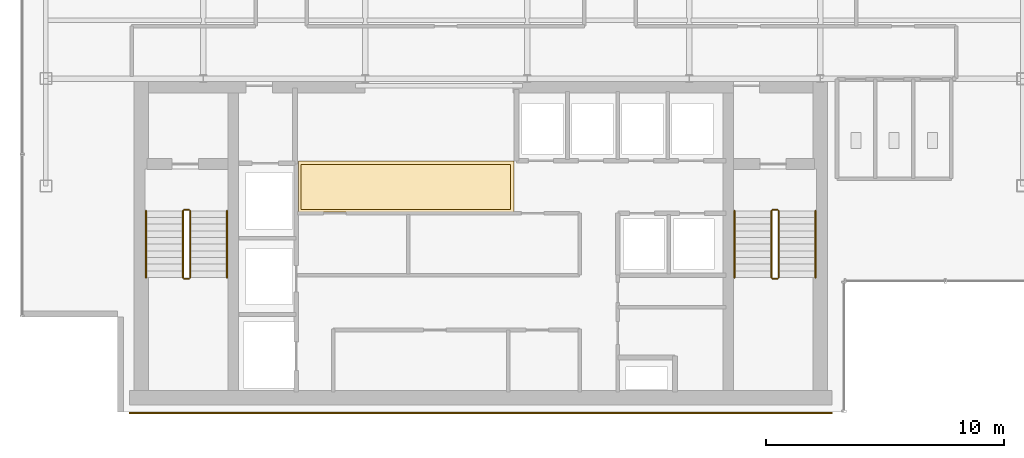
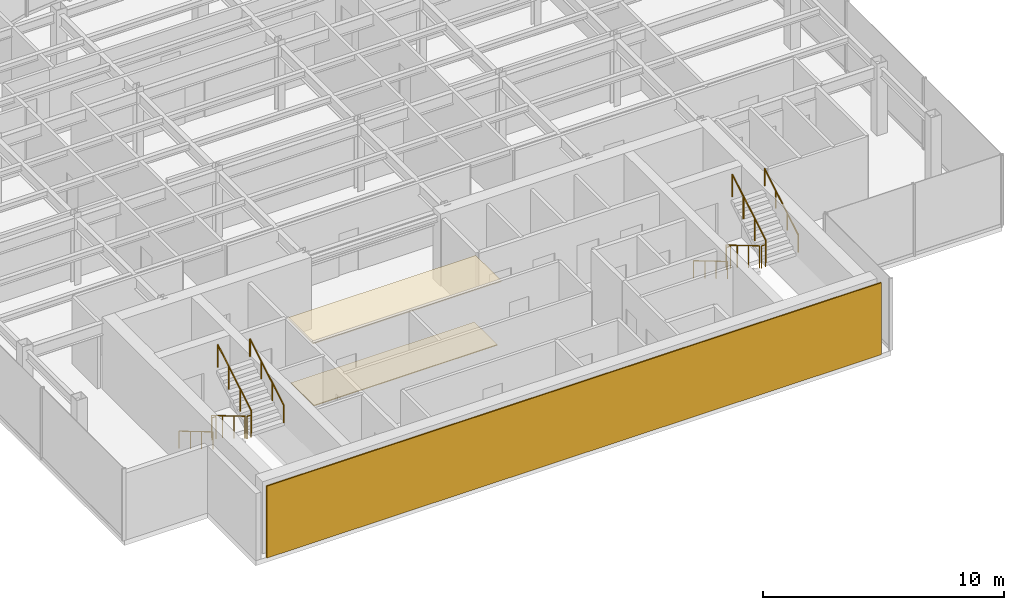
# One storey, part 20 of 22: 12 railings, 3 coverings.
"""IFC4 building model written with IfcOpenShell, lengths in metres."""

from ifc_helpers import new_model, si_unit, derived_unit, direction, frame, origin, origin_2d, place, context, subcontext, project, spatial, polyline, rectangle, circle, outline, extrude, source, transform, mapped, material, layer, layer_set, type_object, element, save


model = new_model("IFC4")

# Units and contexts
model_context = context("Model", 3, precision=1e-05, world=origin(), true_north=direction((0.0, 1.0)))
body_context = subcontext(model_context, "Body", "Model", "MODEL_VIEW")
ifc_project = project(units=[si_unit("LENGTHUNIT", "METRE"), si_unit("AREAUNIT", "SQUARE_METRE"), si_unit("VOLUMEUNIT", "CUBIC_METRE"), si_unit("PLANEANGLEUNIT", "RADIAN"), si_unit("MASSUNIT", "GRAM", prefix="KILO"), derived_unit("THERMALTRANSMITTANCEUNIT", [(si_unit("POWERUNIT", "WATT"), 1), (si_unit("LENGTHUNIT", "METRE"), -2), (si_unit("THERMODYNAMICTEMPERATUREUNIT", "KELVIN"), -1)])], contexts=[model_context])

# Site, building, storey
site_placement = place(None, origin())
site = spatial("IfcSite", under=ifc_project, at=site_placement, CompositionType="ELEMENT")
building_placement = place(site_placement, origin())
building = spatial("IfcBuilding", under=site, at=building_placement, Name="Skarnbrae Concourse Arena and Tower", CompositionType="ELEMENT")
storey_placement = place(building_placement, frame((0.0, 0.0, 277.050048828125)))
storey = spatial("IfcBuildingStorey", under=building, at=storey_placement, Name="L72", CompositionType="ELEMENT", Elevation=277.050048828125)

# Coverings
ifc_material_1 = material(Name="Mineral fibre acoustic ceiling tile", Category="other")
ifc_layer_1 = layer(ifc_material_1, 0.0400390625)
ifc_layer_set_1 = layer_set([ifc_layer_1], Name="Mineral fibre acoustic ceiling tile")
covering_type_1 = type_object("IfcCoveringType", Name="COV-CEIL-ACOUSTIC", PredefinedType="CEILING", material=ifc_layer_set_1)
covering_1_placement = place(storey_placement, frame((0.0, 0.0, 3.239990234375)))
element("IfcCovering", 1, at=covering_1_placement, inside=storey, type_object=covering_type_1, Name="L72 Lift lobby acoustic ceiling", PredefinedType="CEILING", context=body_context, shape_type="SweptSolid", body=[
    extrude(outline(polyline([(11.60009765625, 8.39990234375), (20.64990234375, 8.39990234375), (20.64990234375, 10.550048828125), (11.60009765625, 10.550048828125), (11.60009765625, 8.39990234375)])), origin(), (0.0, 0.0, 1.0), 0.0400390625),
])
ifc_material_2 = material(Name="Polished granite terrazzo flooring", Category="masonry")
ifc_layer_2 = layer(ifc_material_2, 0.0400390625)
ifc_layer_set_2 = layer_set([ifc_layer_2], Name="Polished granite terrazzo flooring")
covering_type_2 = type_object("IfcCoveringType", Name="COV-FLOOR-TERRAZZO", PredefinedType="FLOORING", material=ifc_layer_set_2)
covering_2_placement = place(storey_placement, origin())
element("IfcCovering", 2, at=covering_2_placement, inside=storey, type_object=covering_type_2, Name="L72 Lift lobby terrazzo flooring", PredefinedType="FLOORING", context=body_context, shape_type="SweptSolid", body=[
    extrude(outline(polyline([(11.699951171875, 8.5), (20.5, 8.5), (20.5, 10.39990234375), (11.699951171875, 10.39990234375), (11.699951171875, 8.5)])), origin(), (0.0, 0.0, 1.0), 0.0400390625),
])

# Railings
ifc_material_3 = material(Name="Steel CSA G40.21 350W", Category="steel")
railing_type_1 = type_object("IfcRailingType", Name="RAIL-HANDRAIL-900", PredefinedType="HANDRAIL", material=ifc_material_3)
railing_1_placement = place(storey_placement, frame((5.199951171875, 8.449951171875, 0.165771484375)))
element("IfcRailing", 3, at=railing_1_placement, inside=storey, type_object=railing_type_1, Name="L72 ST-1 stair handrail 1", PredefinedType="HANDRAIL", context=body_context, shape_type="SweptSolid", body=[
    extrude(circle(Radius=0.02392578125, at=origin_2d()), frame((0.0, 0.0, 0.8759765625), z_axis=(0.0, -0.860306154799, 0.50977771628), x_axis=(1.0, 0.0, 0.0)), (0.0, 0.0, 1.0), 3.254638671875),
    extrude(circle(Radius=0.02099609375, at=origin_2d()), origin(), (0.0, 0.0, 1.0), 0.851806640625),
    extrude(circle(Radius=0.02099609375, at=origin_2d()), frame((0.0, -0.933349609375, 0.552978515625)), (0.0, 0.0, 1.0), 0.851806640625),
    extrude(circle(Radius=0.02099609375, at=origin_2d()), frame((0.0, -1.86669921875, 1.106201171875)), (0.0, 0.0, 1.0), 0.851806640625),
    extrude(circle(Radius=0.02099609375, at=origin_2d()), frame((0.0, -2.800048828125, 1.6591796875)), (0.0, 0.0, 1.0), 0.851806640625),
])
railing_2_placement = place(storey_placement, frame((8.60009765625, 5.64990234375, 1.990966796875)))
element("IfcRailing", 4, at=railing_2_placement, inside=storey, type_object=railing_type_1, Name="L72 ST-1 stair handrail 2", PredefinedType="HANDRAIL", context=body_context, shape_type="SweptSolid", body=[
    extrude(circle(Radius=0.02392578125, at=origin_2d()), frame((0.0, 0.0, 0.8759765625), z_axis=(0.0, 0.860339051648, 0.50972219513), x_axis=(-1.0, 0.0, 0.0)), (0.0, 0.0, 1.0), 3.254638671875),
    extrude(circle(Radius=0.02099609375, at=origin_2d()), origin(), (0.0, 0.0, 1.0), 0.851806640625),
    extrude(circle(Radius=0.02099609375, at=origin_2d()), frame((0.0, 0.933349609375, 0.552978515625)), (0.0, 0.0, 1.0), 0.851806640625),
    extrude(circle(Radius=0.02099609375, at=origin_2d()), frame((0.0, 1.86669921875, 1.10595703125)), (0.0, 0.0, 1.0), 0.851806640625),
    extrude(circle(Radius=0.02099609375, at=origin_2d()), frame((0.0, 2.800048828125, 1.658935546875)), (0.0, 0.0, 1.0), 0.851806640625),
])
railing_3_placement = place(storey_placement, frame((29.89990234375, 8.449951171875, 0.165771484375)))
element("IfcRailing", 5, at=railing_3_placement, inside=storey, type_object=railing_type_1, Name="L72 ST-2 stair handrail 1", PredefinedType="HANDRAIL", context=body_context, shape_type="SweptSolid", body=[
    extrude(circle(Radius=0.02392578125, at=origin_2d()), frame((0.0, 0.0, 0.8759765625), z_axis=(0.0, -0.860306154799, 0.50977771628), x_axis=(1.0, 0.0, 0.0)), (0.0, 0.0, 1.0), 3.254638671875),
    extrude(circle(Radius=0.02099609375, at=origin_2d()), origin(), (0.0, 0.0, 1.0), 0.851806640625),
    extrude(circle(Radius=0.02099609375, at=origin_2d()), frame((0.0, -0.933349609375, 0.552978515625)), (0.0, 0.0, 1.0), 0.851806640625),
    extrude(circle(Radius=0.02099609375, at=origin_2d()), frame((0.0, -1.86669921875, 1.106201171875)), (0.0, 0.0, 1.0), 0.851806640625),
    extrude(circle(Radius=0.02099609375, at=origin_2d()), frame((0.0, -2.800048828125, 1.6591796875)), (0.0, 0.0, 1.0), 0.851806640625),
])
railing_4_placement = place(storey_placement, frame((33.300048828125, 5.64990234375, 1.990966796875)))
element("IfcRailing", 6, at=railing_4_placement, inside=storey, type_object=railing_type_1, Name="L72 ST-2 stair handrail 2", PredefinedType="HANDRAIL", context=body_context, shape_type="SweptSolid", body=[
    extrude(circle(Radius=0.02392578125, at=origin_2d()), frame((0.0, 0.0, 0.8759765625), z_axis=(0.0, 0.860339051648, 0.50972219513), x_axis=(-1.0, 0.0, 0.0)), (0.0, 0.0, 1.0), 3.254638671875),
    extrude(circle(Radius=0.02099609375, at=origin_2d()), origin(), (0.0, 0.0, 1.0), 0.851806640625),
    extrude(circle(Radius=0.02099609375, at=origin_2d()), frame((0.0, 0.933349609375, 0.552978515625)), (0.0, 0.0, 1.0), 0.851806640625),
    extrude(circle(Radius=0.02099609375, at=origin_2d()), frame((0.0, 1.86669921875, 1.10595703125)), (0.0, 0.0, 1.0), 0.851806640625),
    extrude(circle(Radius=0.02099609375, at=origin_2d()), frame((0.0, 2.800048828125, 1.658935546875)), (0.0, 0.0, 1.0), 0.851806640625),
])
railing_type_2 = type_object("IfcRailingType", Name="RAIL-STAIR-GUARD-1150", PredefinedType="GUARDRAIL", material=ifc_material_3)
railing_5_placement = place(storey_placement, frame((6.75, 8.449951171875, 0.165771484375)))
element("IfcRailing", 7, at=railing_5_placement, inside=storey, type_object=railing_type_2, Name="L72 ST-1 stair guard 1", PredefinedType="GUARDRAIL", context=body_context, shape_type="SweptSolid", body=[
    extrude(circle(Radius=0.02392578125, at=origin_2d()), frame((0.0, 0.0, 1.1259765625), z_axis=(0.0, -0.860306154799, 0.50977771628), x_axis=(1.0, 0.0, 0.0)), (0.0, 0.0, 1.0), 3.254638671875),
    extrude(circle(Radius=0.02099609375, at=origin_2d()), origin(), (0.0, 0.0, 1.0), 1.101806640625),
    extrude(circle(Radius=0.02099609375, at=origin_2d()), frame((0.0, -0.933349609375, 0.552978515625)), (0.0, 0.0, 1.0), 1.101806640625),
    extrude(circle(Radius=0.02099609375, at=origin_2d()), frame((0.0, -1.86669921875, 1.106201171875)), (0.0, 0.0, 1.0), 1.101806640625),
    extrude(circle(Radius=0.02099609375, at=origin_2d()), frame((0.0, -2.800048828125, 1.6591796875)), (0.0, 0.0, 1.0), 1.101806640625),
])
railing_6_placement = place(storey_placement, frame((6.800048828125, 5.60009765625, 1.824951171875)))
element("IfcRailing", 8, at=railing_6_placement, inside=storey, type_object=railing_type_2, Name="L72 ST-1 stair guard 2", PredefinedType="GUARDRAIL", context=body_context, shape_type="SweptSolid", body=[
    extrude(circle(Radius=0.02392578125, at=origin_2d()), frame((0.0, 0.0, 1.1259765625), z_axis=(1.0, 0.0, 0.0), x_axis=(0.0, 1.0, 0.0)), (0.0, 0.0, 1.0), 0.199951171875),
    extrude(circle(Radius=0.02099609375, at=origin_2d()), origin(), (0.0, 0.0, 1.0), 1.101806640625),
    extrude(circle(Radius=0.02099609375, at=origin_2d()), frame((0.199951171875, 0.0, 0.0)), (0.0, 0.0, 1.0), 1.101806640625),
])
railing_7_placement = place(storey_placement, frame((7.050048828125, 5.64990234375, 1.990966796875)))
element("IfcRailing", 9, at=railing_7_placement, inside=storey, type_object=railing_type_2, Name="L72 ST-1 stair guard 3", PredefinedType="GUARDRAIL", context=body_context, shape_type="SweptSolid", body=[
    extrude(circle(Radius=0.02392578125, at=origin_2d()), frame((0.0, 0.0, 1.1259765625), z_axis=(0.0, 0.860339051648, 0.50972219513), x_axis=(-1.0, 0.0, 0.0)), (0.0, 0.0, 1.0), 3.254638671875),
    extrude(circle(Radius=0.02099609375, at=origin_2d()), origin(), (0.0, 0.0, 1.0), 1.101806640625),
    extrude(circle(Radius=0.02099609375, at=origin_2d()), frame((0.0, 0.933349609375, 0.552978515625)), (0.0, 0.0, 1.0), 1.101806640625),
    extrude(circle(Radius=0.02099609375, at=origin_2d()), frame((0.0, 1.86669921875, 1.10595703125)), (0.0, 0.0, 1.0), 1.101806640625),
    extrude(circle(Radius=0.02099609375, at=origin_2d()), frame((0.0, 2.800048828125, 1.658935546875)), (0.0, 0.0, 1.0), 1.101806640625),
])
railing_8_placement = place(storey_placement, frame((6.800048828125, 8.5, 0.0)))
element("IfcRailing", 10, at=railing_8_placement, inside=storey, type_object=railing_type_2, Name="L72 ST-1 stair guard 4", PredefinedType="GUARDRAIL", context=body_context, shape_type="SweptSolid", body=[
    extrude(circle(Radius=0.02392578125, at=origin_2d()), frame((0.0, 0.0, 1.1259765625), z_axis=(1.0, 0.0, 0.0), x_axis=(0.0, 1.0, 0.0)), (0.0, 0.0, 1.0), 0.199951171875),
    extrude(circle(Radius=0.02099609375, at=origin_2d()), origin(), (0.0, 0.0, 1.0), 1.101806640625),
    extrude(circle(Radius=0.02099609375, at=origin_2d()), frame((0.199951171875, 0.0, 0.0)), (0.0, 0.0, 1.0), 1.101806640625),
])
railing_9_placement = place(storey_placement, frame((31.449951171875, 8.449951171875, 0.165771484375)))
element("IfcRailing", 11, at=railing_9_placement, inside=storey, type_object=railing_type_2, Name="L72 ST-2 stair guard 1", PredefinedType="GUARDRAIL", context=body_context, shape_type="SweptSolid", body=[
    extrude(circle(Radius=0.02392578125, at=origin_2d()), frame((0.0, 0.0, 1.1259765625), z_axis=(0.0, -0.860306154799, 0.50977771628), x_axis=(1.0, 0.0, 0.0)), (0.0, 0.0, 1.0), 3.254638671875),
    extrude(circle(Radius=0.02099609375, at=origin_2d()), origin(), (0.0, 0.0, 1.0), 1.101806640625),
    extrude(circle(Radius=0.02099609375, at=origin_2d()), frame((0.0, -0.933349609375, 0.552978515625)), (0.0, 0.0, 1.0), 1.101806640625),
    extrude(circle(Radius=0.02099609375, at=origin_2d()), frame((0.0, -1.86669921875, 1.106201171875)), (0.0, 0.0, 1.0), 1.101806640625),
    extrude(circle(Radius=0.02099609375, at=origin_2d()), frame((0.0, -2.800048828125, 1.6591796875)), (0.0, 0.0, 1.0), 1.101806640625),
])
railing_10_placement = place(storey_placement, frame((31.5, 5.60009765625, 1.824951171875)))
element("IfcRailing", 12, at=railing_10_placement, inside=storey, type_object=railing_type_2, Name="L72 ST-2 stair guard 2", PredefinedType="GUARDRAIL", context=body_context, shape_type="SweptSolid", body=[
    extrude(circle(Radius=0.02392578125, at=origin_2d()), frame((0.0, 0.0, 1.1259765625), z_axis=(1.0, 0.0, 0.0), x_axis=(0.0, 1.0, 0.0)), (0.0, 0.0, 1.0), 0.199951171875),
    extrude(circle(Radius=0.02099609375, at=origin_2d()), origin(), (0.0, 0.0, 1.0), 1.101806640625),
    extrude(circle(Radius=0.02099609375, at=origin_2d()), frame((0.199951171875, 0.0, 0.0)), (0.0, 0.0, 1.0), 1.101806640625),
])
railing_11_placement = place(storey_placement, frame((31.75, 5.64990234375, 1.990966796875)))
element("IfcRailing", 13, at=railing_11_placement, inside=storey, type_object=railing_type_2, Name="L72 ST-2 stair guard 3", PredefinedType="GUARDRAIL", context=body_context, shape_type="SweptSolid", body=[
    extrude(circle(Radius=0.02392578125, at=origin_2d()), frame((0.0, 0.0, 1.1259765625), z_axis=(0.0, 0.860339051648, 0.50972219513), x_axis=(-1.0, 0.0, 0.0)), (0.0, 0.0, 1.0), 3.254638671875),
    extrude(circle(Radius=0.02099609375, at=origin_2d()), origin(), (0.0, 0.0, 1.0), 1.101806640625),
    extrude(circle(Radius=0.02099609375, at=origin_2d()), frame((0.0, 0.933349609375, 0.552978515625)), (0.0, 0.0, 1.0), 1.101806640625),
    extrude(circle(Radius=0.02099609375, at=origin_2d()), frame((0.0, 1.86669921875, 1.10595703125)), (0.0, 0.0, 1.0), 1.101806640625),
    extrude(circle(Radius=0.02099609375, at=origin_2d()), frame((0.0, 2.800048828125, 1.658935546875)), (0.0, 0.0, 1.0), 1.101806640625),
])
railing_12_placement = place(storey_placement, frame((31.5, 8.5, 0.0)))
element("IfcRailing", 14, at=railing_12_placement, inside=storey, type_object=railing_type_2, Name="L72 ST-2 stair guard 4", PredefinedType="GUARDRAIL", context=body_context, shape_type="SweptSolid", body=[
    extrude(circle(Radius=0.02392578125, at=origin_2d()), frame((0.0, 0.0, 1.1259765625), z_axis=(1.0, 0.0, 0.0), x_axis=(0.0, 1.0, 0.0)), (0.0, 0.0, 1.0), 0.199951171875),
    extrude(circle(Radius=0.02099609375, at=origin_2d()), origin(), (0.0, 0.0, 1.0), 1.101806640625),
    extrude(circle(Radius=0.02099609375, at=origin_2d()), frame((0.199951171875, 0.0, 0.0)), (0.0, 0.0, 1.0), 1.101806640625),
])

# Covering
ifc_material_4 = material(Name="Bronze anodised aluminium 6063-T6", Category="aluminium")
ifc_layer_3 = layer(ifc_material_4, 0.06005859375)
ifc_layer_set_3 = layer_set([ifc_layer_3], Name="Bronze anodised aluminium 6063-T6")
covering_type_3 = type_object("IfcCoveringType", Name="COV-CLAD-BRONZE-60", PredefinedType="CLADDING", material=ifc_layer_set_3)
shared_shape = source(origin(), body_context, "Body", "SweptSolid", [
    extrude(rectangle(XDim=29.5, YDim=0.06005859375, at=origin_2d()), origin(), (0.0, 0.0, 1.0), 3.64990234375),
])
covering_3_placement = place(storey_placement, frame((19.25, -0.030029296875, 0.0), z_axis=(0.0, 0.0, 1.0), x_axis=(1.0, 0.0, 0.0)))
element("IfcCovering", 15, at=covering_3_placement, inside=storey, type_object=covering_type_3, Name="L72 Rear-core plumb spine bronze rainscreen panel", PredefinedType="CLADDING", context=body_context, shape_type="MappedRepresentation", body=[
    mapped(shared_shape, transform((0.0, 0.0, 0.0))),
])

save(model, "model.ifc")
